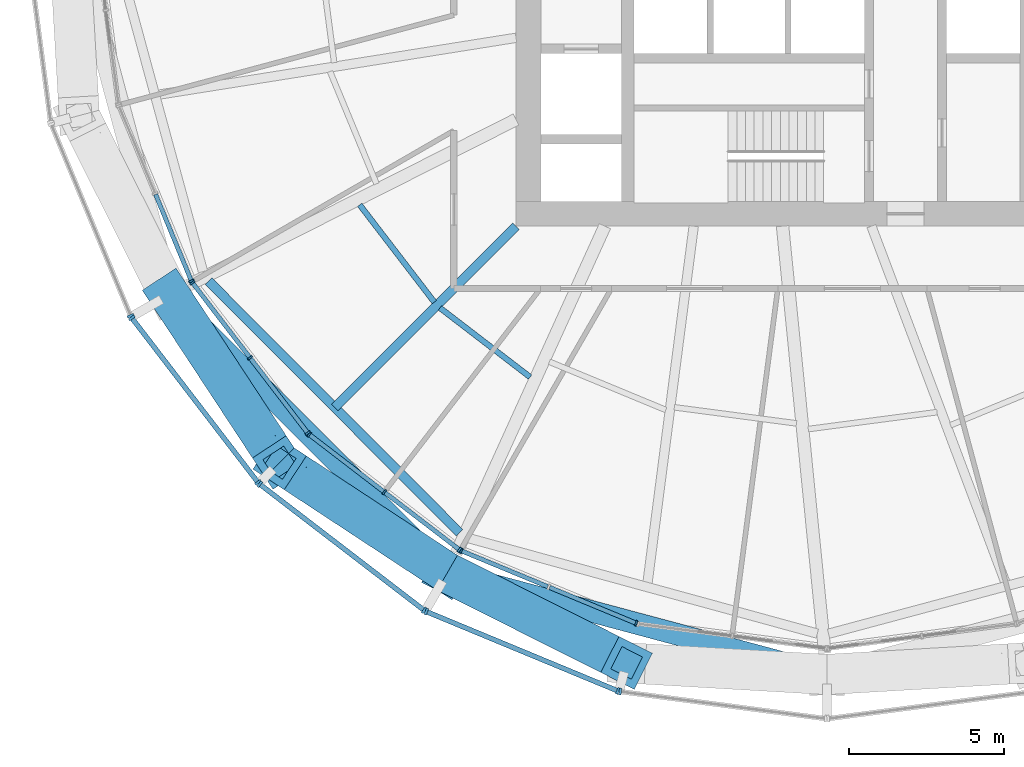
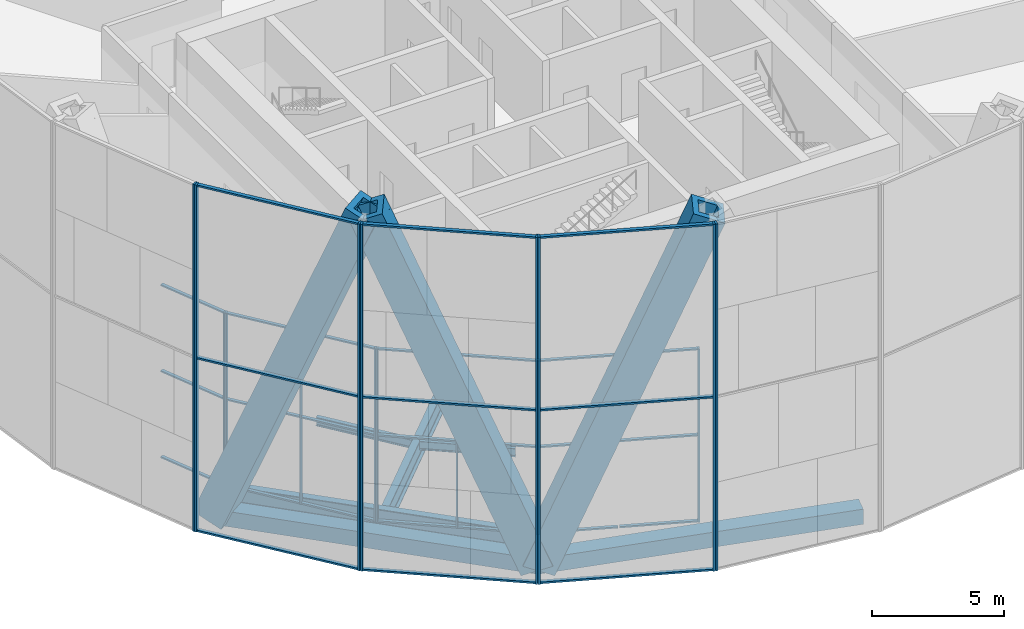
# One storey, part 1 of 22: 50 members, 6 beams, 9 elements without a shape of their own.
"""IFC4 building model written with IfcOpenShell, lengths in metres."""

from ifc_helpers import new_model, si_unit, direction, frame, origin, origin_2d, place, context, subcontext, project, spatial, rectangle, hollow_rectangle, i_section, extrude, material, material_profile, profile_set, type_object, element, aggregate, save


model = new_model("IFC4")

# Units and contexts
model_context = context("Model", 3, precision=1e-05, world=origin(), true_north=direction((0.0, 1.0)))
body_context = subcontext(model_context, "Body", "Model", "MODEL_VIEW")
ifc_project = project(units=[si_unit("LENGTHUNIT", "METRE"), si_unit("AREAUNIT", "SQUARE_METRE"), si_unit("VOLUMEUNIT", "CUBIC_METRE"), si_unit("PLANEANGLEUNIT", "RADIAN"), si_unit("MASSUNIT", "GRAM", prefix="KILO")], contexts=[model_context])

# Site, building, storey
site_placement = place(None, origin())
site = spatial("IfcSite", under=ifc_project, at=site_placement, CompositionType="ELEMENT")
building_placement = place(site_placement, origin())
building = spatial("IfcBuilding", under=site, at=building_placement, Name="Golbaran Civic Tower", CompositionType="ELEMENT")
storey_placement = place(building_placement, frame((0.0, 0.0, 53.0)))
storey = spatial("IfcBuildingStorey", under=building, at=storey_placement, Name="L12", CompositionType="ELEMENT", Elevation=53.0)

# Members
ifc_material_1 = material(Name="Steel S355", Category="steel")
ifc_material_profile_1 = material_profile(ifc_material_1, hollow_rectangle(XDim=1.300048828125, YDim=1.300048828125, WallThickness=0.25, at=origin_2d()), Name="BOX 1300x1300x250")
ifc_profile_set_1 = profile_set([ifc_material_profile_1], Name="Steel S355")
member_type_1 = type_object("IfcMemberType", Name="DIAGRID DIAGONAL BOX 1300x1300x250", PredefinedType="BRACE", material=ifc_profile_set_1)
for number, where, z_axis, x_axis, name in (
    (1, (-21.144775390625, -12.2080078125, -0.7099609375), (0.205433100936, -0.312571904213, 0.927413632494), (0.835670254268, 0.549231486835, 0.0), "Diagonal D02-07R L12-L16"),
    (2, (-12.2080078125, -21.144775390625, -0.7099609375), (0.334194514401, -0.167988782201, 0.927412419368), (0.449119378723, 0.893471758734, 0.0), "Diagonal D02-08R L12-L16"),
    (3, (-12.2080078125, -21.144775390625, -0.7099609375), (-0.312571904213, 0.205433100936, 0.927413632494), (-0.549231486835, -0.835670254268, 0.0), "Diagonal D02-08L L12-L16"),
):
    element("IfcMember", number, at=place(storey_placement, frame(where, z_axis=z_axis, x_axis=x_axis)), inside=storey, type_object=member_type_1, Name=name, PredefinedType="BRACE", context=body_context, shape_type="SweptSolid", body=[
        extrude(hollow_rectangle(XDim=1.300048828125, YDim=1.300048828125, WallThickness=0.25, at=origin_2d()), origin(), (0.0, 0.0, 1.0), 17.252197265625),
    ])

# Beams
ifc_material_profile_2 = material_profile(ifc_material_1, hollow_rectangle(XDim=0.699951171875, YDim=0.699951171875, WallThickness=0.080078125, at=origin_2d()), Name="BOX 700x700x80")
ifc_profile_set_2 = profile_set([ifc_material_profile_2], Name="Steel S355")
beam_type_1 = type_object("IfcBeamType", Name="DIAGRID RING TIE BOX 700x700x80", PredefinedType="BEAM", material=ifc_profile_set_2)
beam_1_placement = place(storey_placement, frame((-21.144775390625, -12.2080078125, -0.7099609375), z_axis=(0.707106781187, -0.707106781187, 0.0), x_axis=(0.707106781187, 0.707106781187, 0.0)))
element("IfcBeam", 4, at=beam_1_placement, inside=storey, type_object=beam_type_1, Name="Ring tie 210.00 L12", PredefinedType="BEAM", context=body_context, shape_type="SweptSolid", body=[
    extrude(hollow_rectangle(XDim=0.699951171875, YDim=0.699951171875, WallThickness=0.080078125, at=origin_2d()), origin(), (0.0, 0.0, 1.0), 12.638427734375),
])
beam_2_placement = place(storey_placement, frame((-12.2080078125, -21.144775390625, -0.7099609375), z_axis=(0.965923563363, -0.258827490311, 0.0), x_axis=(0.258827490311, 0.965923563363, 0.0)))
element("IfcBeam", 5, at=beam_2_placement, inside=storey, type_object=beam_type_1, Name="Ring tie 240.00 L12", PredefinedType="BEAM", context=body_context, shape_type="SweptSolid", body=[
    extrude(hollow_rectangle(XDim=0.699951171875, YDim=0.699951171875, WallThickness=0.080078125, at=origin_2d()), origin(), (0.0, 0.0, 1.0), 12.638671875),
])
ifc_material_profile_3 = material_profile(ifc_material_1, i_section(OverallWidth=0.300048828125, OverallDepth=0.800048828125, WebThickness=0.017578125, FlangeThickness=0.032958984375, FilletRadius=0.030029296875, at=origin_2d()), Name="HEB 800")
ifc_profile_set_3 = profile_set([ifc_material_profile_3], Name="Steel S355")
beam_type_2 = type_object("IfcBeamType", Name="EDGE BEAM HEB 800", PredefinedType="BEAM", material=ifc_profile_set_3)
beam_3_placement = place(storey_placement, frame((-19.88232421875, -11.771240234375, -0.60009765625), z_axis=(0.706293695852, -0.707918932647, 0.0), x_axis=(0.707918932647, 0.706293695852, 0.0)))
element("IfcBeam", 6, at=beam_3_placement, inside=storey, type_object=beam_type_2, Name="Edge beam 210.00 L12", PredefinedType="BEAM", context=body_context, shape_type="SweptSolid", body=[
    extrude(i_section(OverallWidth=0.300048828125, OverallDepth=0.800048828125, WebThickness=0.017578125, FlangeThickness=0.032958984375, FilletRadius=0.030029296875, at=origin_2d()), origin(), (0.0, 0.0, 1.0), 11.41650390625),
])
ifc_material_profile_4 = material_profile(ifc_material_1, i_section(OverallWidth=0.179931640625, OverallDepth=0.39990234375, WebThickness=0.008544921875, FlangeThickness=0.013427734375, FilletRadius=0.02099609375, at=origin_2d()), Name="IPE 400")
ifc_profile_set_4 = profile_set([ifc_material_profile_4], Name="Steel S355")
beam_type_3 = type_object("IfcBeamType", Name="FLOOR INFILL BEAM IPE 400", PredefinedType="BEAM", material=ifc_profile_set_4)
beam_4_placement = place(storey_placement, frame((-15.026123046875, -9.315185546875, -0.39990234375), z_axis=(0.608743547424, -0.793367060993, 0.0), x_axis=(0.793367060993, 0.608743547424, 0.0)))
element("IfcBeam", 7, at=beam_4_placement, inside=storey, type_object=beam_type_3, Name="Infill beam 217.50 L12", PredefinedType="BEAM", context=body_context, shape_type="SweptSolid", body=[
    extrude(i_section(OverallWidth=0.179931640625, OverallDepth=0.39990234375, WebThickness=0.008544921875, FlangeThickness=0.013427734375, FilletRadius=0.02099609375, at=origin_2d()), origin(), (0.0, 0.0, 1.0), 3.94189453125),
])
beam_5_placement = place(storey_placement, frame((-12.445068359375, -12.62890625, -0.39990234375), z_axis=(0.79336110597, -0.608751308446, 0.0), x_axis=(0.608751308446, 0.79336110597, 0.0)))
element("IfcBeam", 8, at=beam_5_placement, inside=storey, type_object=beam_type_3, Name="Infill beam 232.50 L12", PredefinedType="BEAM", context=body_context, shape_type="SweptSolid", body=[
    extrude(i_section(OverallWidth=0.179931640625, OverallDepth=0.39990234375, WebThickness=0.008544921875, FlangeThickness=0.013427734375, FilletRadius=0.02099609375, at=origin_2d()), origin(), (0.0, 0.0, 1.0), 3.654052734375),
])

# Curtain wall, member
ifc_material_2 = material(Name="Aluminium and glass", Category="aluminium")
curtain_wall_type_1 = type_object("IfcCurtainWallType", Name="INNER SKIN CURTAIN WALL", PredefinedType="NOTDEFINED", material=ifc_material_2)
curtain_wall_1_placement = place(storey_placement, origin())
curtain_wall_1 = element("IfcCurtainWall", 9, at=curtain_wall_1_placement, inside=storey, type_object=curtain_wall_type_1, Name="Inner skin L12 facet 14 CW1", ObjectType="INNER SKIN", PredefinedType="USERDEFINED")
ifc_material_3 = material(Name="Aluminium", Category="aluminium")
ifc_material_profile_5 = material_profile(ifc_material_3, rectangle(XDim=0.179931640625, YDim=0.06494140625, at=origin_2d()), Name="INNER SKIN CURTAIN WALL MULLION")
ifc_profile_set_5 = profile_set([ifc_material_profile_5], Name="Aluminium")
member_type_2 = type_object("IfcMemberType", Name="INNER SKIN CURTAIN WALL MULLION", PredefinedType="MULLION", material=ifc_profile_set_5)
member_1_placement = place(storey_placement, frame((-20.437744140625, -11.762451171875, 0.0), z_axis=(0.0, 0.0, 1.0), x_axis=(0.923879532491, 0.382683432413, 0.0)))
member_1 = element("IfcMember", 10, at=member_1_placement, type_object=member_type_2, Name="CW1 mullion 3", PredefinedType="MULLION", context=body_context, shape_type="SweptSolid", body=[
    extrude(rectangle(XDim=0.179931640625, YDim=0.06494140625, at=origin_2d()), origin(), (0.0, 0.0, 1.0), 8.0),
])

# Curtain wall, members
curtain_wall_2_placement = place(storey_placement, origin())
curtain_wall_2 = element("IfcCurtainWall", 11, at=curtain_wall_2_placement, inside=storey, type_object=curtain_wall_type_1, Name="Inner skin L12 facet 15 CW1", ObjectType="INNER SKIN", PredefinedType="USERDEFINED")
member_2_placement = place(storey_placement, frame((-20.405517578125, -11.818359375, 0.0), z_axis=(0.0, 0.0, 1.0), x_axis=(0.79335334027, 0.608761429036, 0.0)))
member_2 = element("IfcMember", 12, at=member_2_placement, type_object=member_type_2, Name="CW1 mullion 1", PredefinedType="MULLION", context=body_context, shape_type="SweptSolid", body=[
    extrude(rectangle(XDim=0.179931640625, YDim=0.06494140625, at=origin_2d()), origin(), (0.0, 0.0, 1.0), 8.0),
])
member_3_placement = place(storey_placement, frame((-18.55126953125, -14.23486328125, 0.0), z_axis=(0.0, 0.0, 1.0), x_axis=(0.79335334027, 0.608761429036, 0.0)))
member_3 = element("IfcMember", 13, at=member_3_placement, type_object=member_type_2, Name="CW1 mullion 2", PredefinedType="MULLION", context=body_context, shape_type="SweptSolid", body=[
    extrude(rectangle(XDim=0.179931640625, YDim=0.06494140625, at=origin_2d()), origin(), (0.0, 0.0, 1.0), 8.0),
])
member_4_placement = place(storey_placement, frame((-16.69677734375, -16.6513671875, 0.0), z_axis=(0.0, 0.0, 1.0), x_axis=(0.79335334027, 0.608761429036, 0.0)))
member_4 = element("IfcMember", 14, at=member_4_placement, type_object=member_type_2, Name="CW1 mullion 3", PredefinedType="MULLION", context=body_context, shape_type="SweptSolid", body=[
    extrude(rectangle(XDim=0.179931640625, YDim=0.06494140625, at=origin_2d()), origin(), (0.0, 0.0, 1.0), 8.0),
])

curtain_wall_3_placement = place(storey_placement, origin())
curtain_wall_3 = element("IfcCurtainWall", 15, at=curtain_wall_3_placement, inside=storey, type_object=curtain_wall_type_1, Name="Inner skin L12 facet 16 CW1", ObjectType="INNER SKIN", PredefinedType="USERDEFINED")
member_5_placement = place(storey_placement, frame((-16.6513671875, -16.69677734375, 0.0), z_axis=(0.0, 0.0, 1.0), x_axis=(0.608761429036, 0.79335334027, 0.0)))
member_5 = element("IfcMember", 16, at=member_5_placement, type_object=member_type_2, Name="CW1 mullion 1", PredefinedType="MULLION", context=body_context, shape_type="SweptSolid", body=[
    extrude(rectangle(XDim=0.179931640625, YDim=0.06494140625, at=origin_2d()), origin(), (0.0, 0.0, 1.0), 8.0),
])
member_6_placement = place(storey_placement, frame((-14.23486328125, -18.55126953125, 0.0), z_axis=(0.0, 0.0, 1.0), x_axis=(0.608761429036, 0.79335334027, 0.0)))
member_6 = element("IfcMember", 17, at=member_6_placement, type_object=member_type_2, Name="CW1 mullion 2", PredefinedType="MULLION", context=body_context, shape_type="SweptSolid", body=[
    extrude(rectangle(XDim=0.179931640625, YDim=0.06494140625, at=origin_2d()), origin(), (0.0, 0.0, 1.0), 8.0),
])
member_7_placement = place(storey_placement, frame((-11.818359375, -20.405517578125, 0.0), z_axis=(0.0, 0.0, 1.0), x_axis=(0.608761429036, 0.79335334027, 0.0)))
member_7 = element("IfcMember", 18, at=member_7_placement, type_object=member_type_2, Name="CW1 mullion 3", PredefinedType="MULLION", context=body_context, shape_type="SweptSolid", body=[
    extrude(rectangle(XDim=0.179931640625, YDim=0.06494140625, at=origin_2d()), origin(), (0.0, 0.0, 1.0), 8.0),
])

curtain_wall_4_placement = place(storey_placement, origin())
curtain_wall_4 = element("IfcCurtainWall", 19, at=curtain_wall_4_placement, inside=storey, type_object=curtain_wall_type_1, Name="Inner skin L12 facet 17 CW1", ObjectType="INNER SKIN", PredefinedType="USERDEFINED")
member_8_placement = place(storey_placement, frame((-11.762451171875, -20.437744140625, 0.0), z_axis=(0.0, 0.0, 1.0), x_axis=(0.382683432413, 0.923879532491, 0.0)))
member_8 = element("IfcMember", 20, at=member_8_placement, type_object=member_type_2, Name="CW1 mullion 1", PredefinedType="MULLION", context=body_context, shape_type="SweptSolid", body=[
    extrude(rectangle(XDim=0.179931640625, YDim=0.06494140625, at=origin_2d()), origin(), (0.0, 0.0, 1.0), 8.0),
])
member_9_placement = place(storey_placement, frame((-6.13427734375, -22.76904296875, 0.0), z_axis=(0.0, 0.0, 1.0), x_axis=(0.382683432413, 0.923879532491, 0.0)))
member_9 = element("IfcMember", 21, at=member_9_placement, type_object=member_type_2, Name="CW1 mullion 3", PredefinedType="MULLION", context=body_context, shape_type="SweptSolid", body=[
    extrude(rectangle(XDim=0.179931640625, YDim=0.06494140625, at=origin_2d()), origin(), (0.0, 0.0, 1.0), 8.0),
])

# Member
ifc_material_profile_6 = material_profile(ifc_material_3, rectangle(XDim=0.139892578125, YDim=0.06494140625, at=origin_2d()), Name="INNER SKIN CURTAIN WALL TRANSOM")
ifc_profile_set_6 = profile_set([ifc_material_profile_6], Name="Aluminium")
member_type_3 = type_object("IfcMemberType", Name="INNER SKIN CURTAIN WALL TRANSOM", PredefinedType="USERDEFINED", material=ifc_profile_set_6)
member_10_placement = place(storey_placement, frame((-21.5908203125, -8.978515625, 0.032470703125), z_axis=(0.382660432893, -0.923889058869, 0.0), x_axis=(0.923889058869, 0.382660432893, 0.0)))
member_10 = element("IfcMember", 22, at=member_10_placement, type_object=member_type_3, Name="CW1 transom 2.1", ObjectType="TRANSOM", PredefinedType="USERDEFINED", context=body_context, shape_type="SweptSolid", body=[
    extrude(rectangle(XDim=0.139892578125, YDim=0.06494140625, at=origin_2d()), origin(), (0.0, 0.0, 1.0), 2.980712890625),
])

member_11_placement = place(storey_placement, frame((-21.5908203125, -8.978515625, 4.0), z_axis=(0.382660432893, -0.923889058869, 0.0), x_axis=(0.923889058869, 0.382660432893, 0.0)))
member_11 = element("IfcMember", 23, at=member_11_placement, type_object=member_type_3, Name="CW1 transom 2.2", ObjectType="TRANSOM", PredefinedType="USERDEFINED", context=body_context, shape_type="SweptSolid", body=[
    extrude(rectangle(XDim=0.139892578125, YDim=0.06494140625, at=origin_2d()), origin(), (0.0, 0.0, 1.0), 2.980712890625),
])

member_12_placement = place(storey_placement, frame((-21.5908203125, -8.978515625, 7.967529296875), z_axis=(0.382660432893, -0.923889058869, 0.0), x_axis=(0.923889058869, 0.382660432893, 0.0)))
member_12 = element("IfcMember", 24, at=member_12_placement, type_object=member_type_3, Name="CW1 transom 2.3", ObjectType="TRANSOM", PredefinedType="USERDEFINED", context=body_context, shape_type="SweptSolid", body=[
    extrude(rectangle(XDim=0.139892578125, YDim=0.06494140625, at=origin_2d()), origin(), (0.0, 0.0, 1.0), 2.980712890625),
])

aggregate(curtain_wall_1, [member_1, member_10, member_11, member_12])

member_13_placement = place(storey_placement, frame((-20.3857421875, -11.843994140625, 0.032470703125), z_axis=(0.608756452926, -0.793357158549, 0.0), x_axis=(0.793357158549, 0.608756452926, 0.0)))
member_13 = element("IfcMember", 25, at=member_13_placement, type_object=member_type_3, Name="CW1 transom 1.1", ObjectType="TRANSOM", PredefinedType="USERDEFINED", context=body_context, shape_type="SweptSolid", body=[
    extrude(rectangle(XDim=0.139892578125, YDim=0.06494140625, at=origin_2d()), origin(), (0.0, 0.0, 1.0), 2.98095703125),
])

member_14_placement = place(storey_placement, frame((-20.3857421875, -11.843994140625, 4.0), z_axis=(0.608756452926, -0.793357158549, 0.0), x_axis=(0.793357158549, 0.608756452926, 0.0)))
member_14 = element("IfcMember", 26, at=member_14_placement, type_object=member_type_3, Name="CW1 transom 1.2", ObjectType="TRANSOM", PredefinedType="USERDEFINED", context=body_context, shape_type="SweptSolid", body=[
    extrude(rectangle(XDim=0.139892578125, YDim=0.06494140625, at=origin_2d()), origin(), (0.0, 0.0, 1.0), 2.98095703125),
])

member_15_placement = place(storey_placement, frame((-20.3857421875, -11.843994140625, 7.967529296875), z_axis=(0.608756452926, -0.793357158549, 0.0), x_axis=(0.793357158549, 0.608756452926, 0.0)))
member_15 = element("IfcMember", 27, at=member_15_placement, type_object=member_type_3, Name="CW1 transom 1.3", ObjectType="TRANSOM", PredefinedType="USERDEFINED", context=body_context, shape_type="SweptSolid", body=[
    extrude(rectangle(XDim=0.139892578125, YDim=0.06494140625, at=origin_2d()), origin(), (0.0, 0.0, 1.0), 2.98095703125),
])

member_16_placement = place(storey_placement, frame((-18.531494140625, -14.260498046875, 0.032470703125), z_axis=(0.608756452926, -0.793357158549, 0.0), x_axis=(0.793357158549, 0.608756452926, 0.0)))
member_16 = element("IfcMember", 28, at=member_16_placement, type_object=member_type_3, Name="CW1 transom 2.1", ObjectType="TRANSOM", PredefinedType="USERDEFINED", context=body_context, shape_type="SweptSolid", body=[
    extrude(rectangle(XDim=0.139892578125, YDim=0.06494140625, at=origin_2d()), origin(), (0.0, 0.0, 1.0), 2.98095703125),
])

member_17_placement = place(storey_placement, frame((-18.531494140625, -14.260498046875, 4.0), z_axis=(0.608756452926, -0.793357158549, 0.0), x_axis=(0.793357158549, 0.608756452926, 0.0)))
member_17 = element("IfcMember", 29, at=member_17_placement, type_object=member_type_3, Name="CW1 transom 2.2", ObjectType="TRANSOM", PredefinedType="USERDEFINED", context=body_context, shape_type="SweptSolid", body=[
    extrude(rectangle(XDim=0.139892578125, YDim=0.06494140625, at=origin_2d()), origin(), (0.0, 0.0, 1.0), 2.98095703125),
])

member_18_placement = place(storey_placement, frame((-18.531494140625, -14.260498046875, 7.967529296875), z_axis=(0.608756452926, -0.793357158549, 0.0), x_axis=(0.793357158549, 0.608756452926, 0.0)))
member_18 = element("IfcMember", 30, at=member_18_placement, type_object=member_type_3, Name="CW1 transom 2.3", ObjectType="TRANSOM", PredefinedType="USERDEFINED", context=body_context, shape_type="SweptSolid", body=[
    extrude(rectangle(XDim=0.139892578125, YDim=0.06494140625, at=origin_2d()), origin(), (0.0, 0.0, 1.0), 2.98095703125),
])

aggregate(curtain_wall_2, [member_2, member_3, member_4, member_13, member_14, member_15, member_16, member_17, member_18])

member_19_placement = place(storey_placement, frame((-16.62548828125, -16.716796875, 0.032470703125), z_axis=(0.793357158549, -0.608756452926, 0.0), x_axis=(0.608756452926, 0.793357158549, 0.0)))
member_19 = element("IfcMember", 31, at=member_19_placement, type_object=member_type_3, Name="CW1 transom 1.1", ObjectType="TRANSOM", PredefinedType="USERDEFINED", context=body_context, shape_type="SweptSolid", body=[
    extrude(rectangle(XDim=0.139892578125, YDim=0.06494140625, at=origin_2d()), origin(), (0.0, 0.0, 1.0), 2.98095703125),
])

member_20_placement = place(storey_placement, frame((-16.62548828125, -16.716796875, 4.0), z_axis=(0.793357158549, -0.608756452926, 0.0), x_axis=(0.608756452926, 0.793357158549, 0.0)))
member_20 = element("IfcMember", 32, at=member_20_placement, type_object=member_type_3, Name="CW1 transom 1.2", ObjectType="TRANSOM", PredefinedType="USERDEFINED", context=body_context, shape_type="SweptSolid", body=[
    extrude(rectangle(XDim=0.139892578125, YDim=0.06494140625, at=origin_2d()), origin(), (0.0, 0.0, 1.0), 2.98095703125),
])

member_21_placement = place(storey_placement, frame((-16.62548828125, -16.716796875, 7.967529296875), z_axis=(0.793357158549, -0.608756452926, 0.0), x_axis=(0.608756452926, 0.793357158549, 0.0)))
member_21 = element("IfcMember", 33, at=member_21_placement, type_object=member_type_3, Name="CW1 transom 1.3", ObjectType="TRANSOM", PredefinedType="USERDEFINED", context=body_context, shape_type="SweptSolid", body=[
    extrude(rectangle(XDim=0.139892578125, YDim=0.06494140625, at=origin_2d()), origin(), (0.0, 0.0, 1.0), 2.98095703125),
])

member_22_placement = place(storey_placement, frame((-14.208984375, -18.571044921875, 0.032470703125), z_axis=(0.793357158549, -0.608756452926, 0.0), x_axis=(0.608756452926, 0.793357158549, 0.0)))
member_22 = element("IfcMember", 34, at=member_22_placement, type_object=member_type_3, Name="CW1 transom 2.1", ObjectType="TRANSOM", PredefinedType="USERDEFINED", context=body_context, shape_type="SweptSolid", body=[
    extrude(rectangle(XDim=0.139892578125, YDim=0.06494140625, at=origin_2d()), origin(), (0.0, 0.0, 1.0), 2.98095703125),
])

member_23_placement = place(storey_placement, frame((-14.208984375, -18.571044921875, 4.0), z_axis=(0.793357158549, -0.608756452926, 0.0), x_axis=(0.608756452926, 0.793357158549, 0.0)))
member_23 = element("IfcMember", 35, at=member_23_placement, type_object=member_type_3, Name="CW1 transom 2.2", ObjectType="TRANSOM", PredefinedType="USERDEFINED", context=body_context, shape_type="SweptSolid", body=[
    extrude(rectangle(XDim=0.139892578125, YDim=0.06494140625, at=origin_2d()), origin(), (0.0, 0.0, 1.0), 2.98095703125),
])

member_24_placement = place(storey_placement, frame((-14.208984375, -18.571044921875, 7.967529296875), z_axis=(0.793357158549, -0.608756452926, 0.0), x_axis=(0.608756452926, 0.793357158549, 0.0)))
member_24 = element("IfcMember", 36, at=member_24_placement, type_object=member_type_3, Name="CW1 transom 2.3", ObjectType="TRANSOM", PredefinedType="USERDEFINED", context=body_context, shape_type="SweptSolid", body=[
    extrude(rectangle(XDim=0.139892578125, YDim=0.06494140625, at=origin_2d()), origin(), (0.0, 0.0, 1.0), 2.98095703125),
])

aggregate(curtain_wall_3, [member_5, member_6, member_7, member_19, member_20, member_21, member_22, member_23, member_24])

member_25_placement = place(storey_placement, frame((-11.732421875, -20.4501953125, 0.032470703125), z_axis=(0.923889058869, -0.382660432893, 0.0), x_axis=(0.382660432893, 0.923889058869, 0.0)))
member_25 = element("IfcMember", 37, at=member_25_placement, type_object=member_type_3, Name="CW1 transom 1.1", ObjectType="TRANSOM", PredefinedType="USERDEFINED", context=body_context, shape_type="SweptSolid", body=[
    extrude(rectangle(XDim=0.139892578125, YDim=0.06494140625, at=origin_2d()), origin(), (0.0, 0.0, 1.0), 2.980712890625),
])

member_26_placement = place(storey_placement, frame((-11.732421875, -20.4501953125, 4.0), z_axis=(0.923889058869, -0.382660432893, 0.0), x_axis=(0.382660432893, 0.923889058869, 0.0)))
member_26 = element("IfcMember", 38, at=member_26_placement, type_object=member_type_3, Name="CW1 transom 1.2", ObjectType="TRANSOM", PredefinedType="USERDEFINED", context=body_context, shape_type="SweptSolid", body=[
    extrude(rectangle(XDim=0.139892578125, YDim=0.06494140625, at=origin_2d()), origin(), (0.0, 0.0, 1.0), 2.980712890625),
])

member_27_placement = place(storey_placement, frame((-11.732421875, -20.4501953125, 7.967529296875), z_axis=(0.923889058869, -0.382660432893, 0.0), x_axis=(0.382660432893, 0.923889058869, 0.0)))
member_27 = element("IfcMember", 39, at=member_27_placement, type_object=member_type_3, Name="CW1 transom 1.3", ObjectType="TRANSOM", PredefinedType="USERDEFINED", context=body_context, shape_type="SweptSolid", body=[
    extrude(rectangle(XDim=0.139892578125, YDim=0.06494140625, at=origin_2d()), origin(), (0.0, 0.0, 1.0), 2.980712890625),
])

member_28_placement = place(storey_placement, frame((-8.91845703125, -21.61572265625, 0.032470703125), z_axis=(0.923872096684, -0.382701383548, 0.0), x_axis=(0.382701383548, 0.923872096684, 0.0)))
member_28 = element("IfcMember", 40, at=member_28_placement, type_object=member_type_3, Name="CW1 transom 2.1", ObjectType="TRANSOM", PredefinedType="USERDEFINED", context=body_context, shape_type="SweptSolid", body=[
    extrude(rectangle(XDim=0.139892578125, YDim=0.06494140625, at=origin_2d()), origin(), (0.0, 0.0, 1.0), 2.981201171875),
])

member_29_placement = place(storey_placement, frame((-8.91845703125, -21.61572265625, 4.0), z_axis=(0.923872096684, -0.382701383548, 0.0), x_axis=(0.382701383548, 0.923872096684, 0.0)))
member_29 = element("IfcMember", 41, at=member_29_placement, type_object=member_type_3, Name="CW1 transom 2.2", ObjectType="TRANSOM", PredefinedType="USERDEFINED", context=body_context, shape_type="SweptSolid", body=[
    extrude(rectangle(XDim=0.139892578125, YDim=0.06494140625, at=origin_2d()), origin(), (0.0, 0.0, 1.0), 2.981201171875),
])

member_30_placement = place(storey_placement, frame((-8.91845703125, -21.61572265625, 7.967529296875), z_axis=(0.923872096684, -0.382701383548, 0.0), x_axis=(0.382701383548, 0.923872096684, 0.0)))
member_30 = element("IfcMember", 42, at=member_30_placement, type_object=member_type_3, Name="CW1 transom 2.3", ObjectType="TRANSOM", PredefinedType="USERDEFINED", context=body_context, shape_type="SweptSolid", body=[
    extrude(rectangle(XDim=0.139892578125, YDim=0.06494140625, at=origin_2d()), origin(), (0.0, 0.0, 1.0), 2.981201171875),
])

aggregate(curtain_wall_4, [member_8, member_9, member_25, member_26, member_27, member_28, member_29, member_30])

# Curtain wall, member
curtain_wall_type_2 = type_object("IfcCurtainWallType", Name="OUTER SKIN TERRACOTTA SCREEN", PredefinedType="NOTDEFINED", material=ifc_material_2)
curtain_wall_5_placement = place(storey_placement, origin())
curtain_wall_5 = element("IfcCurtainWall", 43, at=curtain_wall_5_placement, inside=storey, type_object=curtain_wall_type_2, Name="Outer skin L12 facet 14 CW3", ObjectType="OUTER SKIN", PredefinedType="USERDEFINED")
ifc_material_profile_7 = material_profile(ifc_material_3, rectangle(XDim=0.219970703125, YDim=0.080078125, at=origin_2d()), Name="OUTER SKIN TERRACOTTA SCREEN MULLION")
ifc_profile_set_7 = profile_set([ifc_material_profile_7], Name="Aluminium")
member_type_4 = type_object("IfcMemberType", Name="OUTER SKIN TERRACOTTA SCREEN MULLION", PredefinedType="MULLION", material=ifc_profile_set_7)
member_31_placement = place(storey_placement, frame((-22.394287109375, -12.883544921875, -0.7099609375), z_axis=(0.0, 0.0, 1.0), x_axis=(0.923879532518, 0.382683432349, 0.0)))
member_31 = element("IfcMember", 44, at=member_31_placement, type_object=member_type_4, Name="CW3 mullion 2", PredefinedType="MULLION", context=body_context, shape_type="SweptSolid", body=[
    extrude(rectangle(XDim=0.219970703125, YDim=0.080078125, at=origin_2d()), origin(), (0.0, 0.0, 1.0), 16.0),
])
aggregate(curtain_wall_5, [member_31])

# Curtain wall, members
curtain_wall_6_placement = place(storey_placement, origin())
curtain_wall_6 = element("IfcCurtainWall", 45, at=curtain_wall_6_placement, inside=storey, type_object=curtain_wall_type_2, Name="Outer skin L12 facet 15 CW3", ObjectType="OUTER SKIN", PredefinedType="USERDEFINED")
member_32_placement = place(storey_placement, frame((-22.3544921875, -12.9521484375, -0.7099609375), z_axis=(0.0, 0.0, 1.0), x_axis=(0.793353340355, 0.608761428926, 0.0)))
member_32 = element("IfcMember", 46, at=member_32_placement, type_object=member_type_4, Name="CW3 mullion 1", PredefinedType="MULLION", context=body_context, shape_type="SweptSolid", body=[
    extrude(rectangle(XDim=0.219970703125, YDim=0.080078125, at=origin_2d()), origin(), (0.0, 0.0, 1.0), 16.0),
])
member_33_placement = place(storey_placement, frame((-18.296630859375, -18.24072265625, -0.7099609375), z_axis=(0.0, 0.0, 1.0), x_axis=(0.793353340355, 0.608761428926, 0.0)))
member_33 = element("IfcMember", 47, at=member_33_placement, type_object=member_type_4, Name="CW3 mullion 2", PredefinedType="MULLION", context=body_context, shape_type="SweptSolid", body=[
    extrude(rectangle(XDim=0.219970703125, YDim=0.080078125, at=origin_2d()), origin(), (0.0, 0.0, 1.0), 16.0),
])

curtain_wall_7_placement = place(storey_placement, origin())
curtain_wall_7 = element("IfcCurtainWall", 48, at=curtain_wall_7_placement, inside=storey, type_object=curtain_wall_type_2, Name="Outer skin L12 facet 16 CW3", ObjectType="OUTER SKIN", PredefinedType="USERDEFINED")
member_34_placement = place(storey_placement, frame((-18.24072265625, -18.296630859375, -0.7099609375), z_axis=(0.0, 0.0, 1.0), x_axis=(0.608761428926, 0.793353340355, 0.0)))
member_34 = element("IfcMember", 49, at=member_34_placement, type_object=member_type_4, Name="CW3 mullion 1", PredefinedType="MULLION", context=body_context, shape_type="SweptSolid", body=[
    extrude(rectangle(XDim=0.219970703125, YDim=0.080078125, at=origin_2d()), origin(), (0.0, 0.0, 1.0), 16.0),
])
member_35_placement = place(storey_placement, frame((-12.9521484375, -22.3544921875, -0.7099609375), z_axis=(0.0, 0.0, 1.0), x_axis=(0.608761428926, 0.793353340355, 0.0)))
member_35 = element("IfcMember", 50, at=member_35_placement, type_object=member_type_4, Name="CW3 mullion 2", PredefinedType="MULLION", context=body_context, shape_type="SweptSolid", body=[
    extrude(rectangle(XDim=0.219970703125, YDim=0.080078125, at=origin_2d()), origin(), (0.0, 0.0, 1.0), 16.0),
])

curtain_wall_8_placement = place(storey_placement, origin())
curtain_wall_8 = element("IfcCurtainWall", 51, at=curtain_wall_8_placement, inside=storey, type_object=curtain_wall_type_2, Name="Outer skin L12 facet 17 CW3", ObjectType="OUTER SKIN", PredefinedType="USERDEFINED")
member_36_placement = place(storey_placement, frame((-12.883544921875, -22.394287109375, -0.7099609375), z_axis=(0.0, 0.0, 1.0), x_axis=(0.382683432349, 0.923879532518, 0.0)))
member_36 = element("IfcMember", 52, at=member_36_placement, type_object=member_type_4, Name="CW3 mullion 1", PredefinedType="MULLION", context=body_context, shape_type="SweptSolid", body=[
    extrude(rectangle(XDim=0.219970703125, YDim=0.080078125, at=origin_2d()), origin(), (0.0, 0.0, 1.0), 16.0),
])
member_37_placement = place(storey_placement, frame((-6.72509765625, -24.945068359375, -0.7099609375), z_axis=(0.0, 0.0, 1.0), x_axis=(0.382683432349, 0.923879532518, 0.0)))
member_37 = element("IfcMember", 53, at=member_37_placement, type_object=member_type_4, Name="CW3 mullion 2", PredefinedType="MULLION", context=body_context, shape_type="SweptSolid", body=[
    extrude(rectangle(XDim=0.219970703125, YDim=0.080078125, at=origin_2d()), origin(), (0.0, 0.0, 1.0), 16.0),
])

# Curtain wall, member
curtain_wall_9_placement = place(storey_placement, origin())
curtain_wall_9 = element("IfcCurtainWall", 54, at=curtain_wall_9_placement, inside=storey, type_object=curtain_wall_type_2, Name="Outer skin L12 facet 18 CW3", ObjectType="OUTER SKIN", PredefinedType="USERDEFINED")
member_38_placement = place(storey_placement, frame((-6.6484375, -24.9658203125, -0.7099609375), z_axis=(0.0, 0.0, 1.0), x_axis=(0.130526192255, 0.991444861369, 0.0)))
member_38 = element("IfcMember", 55, at=member_38_placement, type_object=member_type_4, Name="CW3 mullion 1", PredefinedType="MULLION", context=body_context, shape_type="SweptSolid", body=[
    extrude(rectangle(XDim=0.219970703125, YDim=0.080078125, at=origin_2d()), origin(), (0.0, 0.0, 1.0), 16.0),
])
aggregate(curtain_wall_9, [member_38])

# Member
ifc_material_profile_8 = material_profile(ifc_material_3, rectangle(XDim=0.159912109375, YDim=0.080078125, at=origin_2d()), Name="OUTER SKIN TERRACOTTA SCREEN TRANSOM")
ifc_profile_set_8 = profile_set([ifc_material_profile_8], Name="Aluminium")
member_type_5 = type_object("IfcMemberType", Name="OUTER SKIN TERRACOTTA SCREEN TRANSOM", PredefinedType="USERDEFINED", material=ifc_profile_set_8)
member_39_placement = place(storey_placement, frame((-22.330322265625, -12.98388671875, -0.669921875), z_axis=(0.608753678221, -0.79335928762, 0.0), x_axis=(0.79335928762, 0.608753678221, 0.0)))
member_39 = element("IfcMember", 56, at=member_39_placement, type_object=member_type_5, Name="CW3 transom 1.1", ObjectType="TRANSOM", PredefinedType="USERDEFINED", context=body_context, shape_type="SweptSolid", body=[
    extrude(rectangle(XDim=0.159912109375, YDim=0.080078125, at=origin_2d()), origin(), (0.0, 0.0, 1.0), 6.5859375),
])

member_40_placement = place(storey_placement, frame((-22.330322265625, -12.98388671875, 7.2900390625), z_axis=(0.608753678221, -0.79335928762, 0.0), x_axis=(0.79335928762, 0.608753678221, 0.0)))
member_40 = element("IfcMember", 57, at=member_40_placement, type_object=member_type_5, Name="CW3 transom 1.2", ObjectType="TRANSOM", PredefinedType="USERDEFINED", context=body_context, shape_type="SweptSolid", body=[
    extrude(rectangle(XDim=0.159912109375, YDim=0.080078125, at=origin_2d()), origin(), (0.0, 0.0, 1.0), 6.5859375),
])

member_41_placement = place(storey_placement, frame((-22.330322265625, -12.98388671875, 15.25), z_axis=(0.608753678221, -0.79335928762, 0.0), x_axis=(0.79335928762, 0.608753678221, 0.0)))
member_41 = element("IfcMember", 58, at=member_41_placement, type_object=member_type_5, Name="CW3 transom 1.3", ObjectType="TRANSOM", PredefinedType="USERDEFINED", context=body_context, shape_type="SweptSolid", body=[
    extrude(rectangle(XDim=0.159912109375, YDim=0.080078125, at=origin_2d()), origin(), (0.0, 0.0, 1.0), 6.5859375),
])

aggregate(curtain_wall_6, [member_32, member_33, member_39, member_40, member_41])

member_42_placement = place(storey_placement, frame((-18.208984375, -18.321044921875, -0.669921875), z_axis=(0.79335928762, -0.608753678221, 0.0), x_axis=(0.608753678221, 0.79335928762, 0.0)))
member_42 = element("IfcMember", 59, at=member_42_placement, type_object=member_type_5, Name="CW3 transom 1.1", ObjectType="TRANSOM", PredefinedType="USERDEFINED", context=body_context, shape_type="SweptSolid", body=[
    extrude(rectangle(XDim=0.159912109375, YDim=0.080078125, at=origin_2d()), origin(), (0.0, 0.0, 1.0), 6.5859375),
])

member_43_placement = place(storey_placement, frame((-18.208984375, -18.321044921875, 7.2900390625), z_axis=(0.79335928762, -0.608753678221, 0.0), x_axis=(0.608753678221, 0.79335928762, 0.0)))
member_43 = element("IfcMember", 60, at=member_43_placement, type_object=member_type_5, Name="CW3 transom 1.2", ObjectType="TRANSOM", PredefinedType="USERDEFINED", context=body_context, shape_type="SweptSolid", body=[
    extrude(rectangle(XDim=0.159912109375, YDim=0.080078125, at=origin_2d()), origin(), (0.0, 0.0, 1.0), 6.5859375),
])

member_44_placement = place(storey_placement, frame((-18.208984375, -18.321044921875, 15.25), z_axis=(0.79335928762, -0.608753678221, 0.0), x_axis=(0.608753678221, 0.79335928762, 0.0)))
member_44 = element("IfcMember", 61, at=member_44_placement, type_object=member_type_5, Name="CW3 transom 1.3", ObjectType="TRANSOM", PredefinedType="USERDEFINED", context=body_context, shape_type="SweptSolid", body=[
    extrude(rectangle(XDim=0.159912109375, YDim=0.080078125, at=origin_2d()), origin(), (0.0, 0.0, 1.0), 6.5859375),
])

aggregate(curtain_wall_7, [member_34, member_35, member_42, member_43, member_44])

member_45_placement = place(storey_placement, frame((-12.8466796875, -22.40966796875, -0.669921875), z_axis=(0.923885359564, -0.382669364313, 0.0), x_axis=(0.382669364313, 0.923885359564, 0.0)))
member_45 = element("IfcMember", 62, at=member_45_placement, type_object=member_type_5, Name="CW3 transom 1.1", ObjectType="TRANSOM", PredefinedType="USERDEFINED", context=body_context, shape_type="SweptSolid", body=[
    extrude(rectangle(XDim=0.159912109375, YDim=0.080078125, at=origin_2d()), origin(), (0.0, 0.0, 1.0), 6.5859375),
])

member_46_placement = place(storey_placement, frame((-12.8466796875, -22.40966796875, 7.2900390625), z_axis=(0.923885359564, -0.382669364313, 0.0), x_axis=(0.382669364313, 0.923885359564, 0.0)))
member_46 = element("IfcMember", 63, at=member_46_placement, type_object=member_type_5, Name="CW3 transom 1.2", ObjectType="TRANSOM", PredefinedType="USERDEFINED", context=body_context, shape_type="SweptSolid", body=[
    extrude(rectangle(XDim=0.159912109375, YDim=0.080078125, at=origin_2d()), origin(), (0.0, 0.0, 1.0), 6.5859375),
])

member_47_placement = place(storey_placement, frame((-12.8466796875, -22.40966796875, 15.25), z_axis=(0.923885359564, -0.382669364313, 0.0), x_axis=(0.382669364313, 0.923885359564, 0.0)))
member_47 = element("IfcMember", 64, at=member_47_placement, type_object=member_type_5, Name="CW3 transom 1.3", ObjectType="TRANSOM", PredefinedType="USERDEFINED", context=body_context, shape_type="SweptSolid", body=[
    extrude(rectangle(XDim=0.159912109375, YDim=0.080078125, at=origin_2d()), origin(), (0.0, 0.0, 1.0), 6.5859375),
])

aggregate(curtain_wall_8, [member_36, member_37, member_45, member_46, member_47])

# Beam
ifc_material_profile_9 = material_profile(ifc_material_1, i_section(OverallWidth=0.300048828125, OverallDepth=1.0, WebThickness=0.01904296875, FlangeThickness=0.035888671875, FilletRadius=0.030029296875, at=origin_2d()), Name="HEB 1000")
ifc_profile_set_9 = profile_set([ifc_material_profile_9], Name="Steel S355")
beam_type_4 = type_object("IfcBeamType", Name="SECONDARY FLOOR BEAM HEB 1000", PredefinedType="BEAM", material=ifc_profile_set_9)
beam_6_placement = place(storey_placement, frame((-10.0, -10.0, -0.7099609375), z_axis=(-0.707106781187, -0.707106781187, 0.0), x_axis=(0.707106781187, -0.707106781187, 0.0)))
element("IfcBeam", 65, at=beam_6_placement, inside=storey, type_object=beam_type_4, Name="Secondary beam 225.00 L12", PredefinedType="BEAM", context=body_context, shape_type="SweptSolid", body=[
    extrude(i_section(OverallWidth=0.300048828125, OverallDepth=1.0, WebThickness=0.01904296875, FlangeThickness=0.035888671875, FilletRadius=0.030029296875, at=origin_2d()), origin(), (0.0, 0.0, 1.0), 8.2470703125),
])

save(model, "model.ifc")
